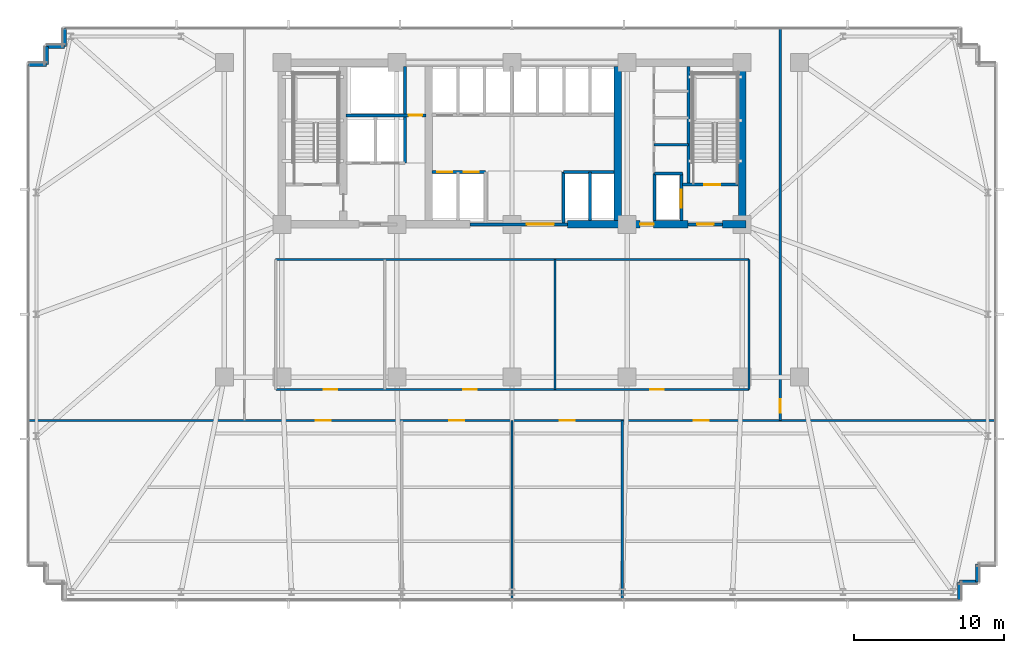
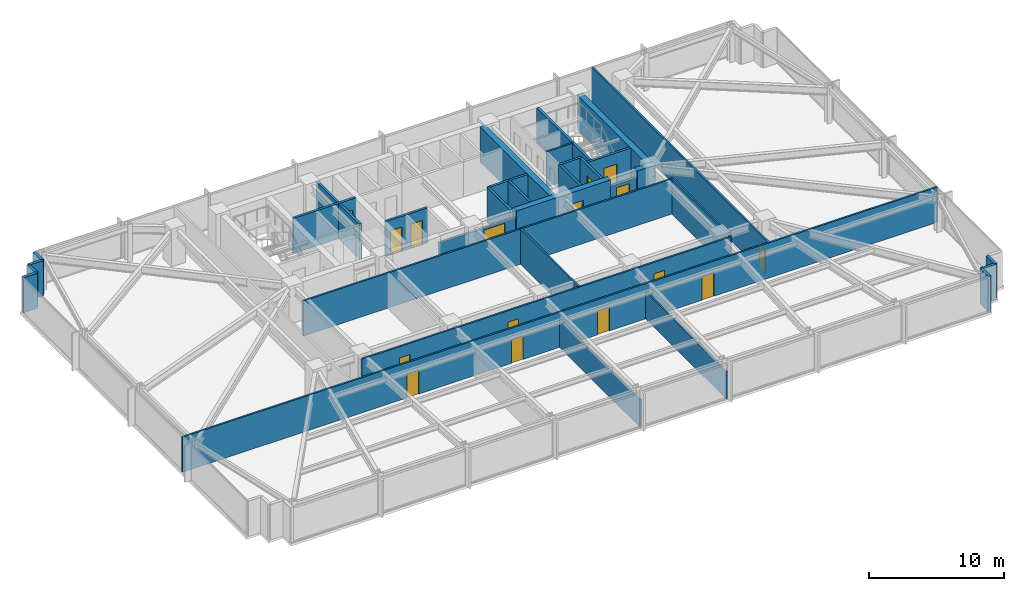
# One storey, part 25 of 33: 33 walls, 16 doors, 16 openings.
"""IFC4 building model written with IfcOpenShell, lengths in metres."""

from ifc_helpers import new_model, si_unit, direction, frame, frame_2d, origin, place, context, subcontext, project, spatial, rectangle, extrude, material, layer, layer_set, type_object, element, fill, save


model = new_model("IFC4")

# Units and contexts
model_context = context("Model", 3, precision=1e-05, world=origin(), true_north=direction((0.0, 1.0)))
body_context = subcontext(model_context, "Body", "Model", "MODEL_VIEW")
ifc_project = project(units=[si_unit("LENGTHUNIT", "METRE"), si_unit("AREAUNIT", "SQUARE_METRE"), si_unit("VOLUMEUNIT", "CUBIC_METRE"), si_unit("PLANEANGLEUNIT", "RADIAN"), si_unit("MASSUNIT", "GRAM", prefix="KILO")], contexts=[model_context])

# Site, building, storey
site_placement = place(None, origin())
site = spatial("IfcSite", under=ifc_project, at=site_placement, CompositionType="ELEMENT")
building_placement = place(site_placement, origin())
building = spatial("IfcBuilding", under=site, at=building_placement, Name="Yelkora Congress Tower", CompositionType="ELEMENT")
storey_placement = place(building_placement, frame((0.0, 0.0, 47.39990234375)))
storey = spatial("IfcBuildingStorey", under=building, at=storey_placement, Name="L11", CompositionType="ELEMENT", Elevation=47.39990234375)

# Wall
ifc_material_1 = material(Name="Concrete C50/60", Category="concrete")
ifc_layer_1 = layer(ifc_material_1, 0.219970703125)
ifc_layer_set_1 = layer_set([ifc_layer_1], Name="Concrete C50/60")
wall_type_1 = type_object("IfcWallType", Name="WALL-CORE-INT-220", PredefinedType="SHEAR", material=ifc_layer_set_1)
wall_1_placement = place(storey_placement, frame((50.179931640625, 38.050048828125, 0.0), z_axis=(0.0, 0.0, 1.0), x_axis=(0.0, 1.0, 0.0)))
element("IfcWall", 1, at=wall_1_placement, inside=storey, type_object=wall_type_1, Name="L11 ST02 West Stair Shear Wall", PredefinedType="SHEAR", context=body_context, shape_type="SweptSolid", body=[
    extrude(rectangle(XDim=7.89990234375, YDim=0.219970703125, at=frame_2d((3.949951171875, 0.0))), origin(), (0.0, 0.0, 1.0), 3.18017578125),
])

# Wall, opening, door
ifc_material_2 = material(Name="Concrete C60/75", Category="concrete")
ifc_layer_2 = layer(ifc_material_2, 0.5)
ifc_layer_set_2 = layer_set([ifc_layer_2], Name="Concrete C60/75")
wall_type_2 = type_object("IfcWallType", Name="WALL-CORE-INT-500", PredefinedType="SHEAR", material=ifc_layer_set_2)
wall_2_placement = place(storey_placement, frame((42.10009765625, 35.39990234375, 0.0), z_axis=(0.0, 0.0, 1.0), x_axis=(1.0, 0.0, 0.0)))
wall_2 = element("IfcWall", 2, at=wall_2_placement, inside=storey, type_object=wall_type_2, Name="L11 Rear Core South-East Shear Wall A", PredefinedType="SHEAR", context=body_context, shape_type="SweptSolid", body=[
    extrude(rectangle(XDim=8.0498046875, YDim=0.5, at=frame_2d((4.02490234375, 0.0))), origin(), (0.0, 0.0, 1.0), 3.18017578125),
])
opening_1_placement = place(wall_2_placement, frame((4.85009765625, 0.0, 0.0)))
opening_1 = element("IfcOpeningElement", 3, at=opening_1_placement, cuts=wall_2, Name="Opening DR-090F6", PredefinedType="OPENING", context=body_context, shape_type="SweptSolid", body=[
    extrude(rectangle(XDim=0.89990234375, YDim=2.14990234375, at=frame_2d((0.449951171875, 1.074951171875))), frame((0.0, 0.260009765625, 0.0), z_axis=(0.0, -1.0, 0.0), x_axis=(1.0, 0.0, 0.0)), (0.0, 0.0, 1.0), 0.52001953125),
])
ifc_material_3 = material(Name="Painted steel riser fire door leaf", Category="steel")
door_type_1 = type_object("IfcDoorType", Name="DOOR-FD60-900", OperationType="NOTDEFINED", PredefinedType="DOOR", material=ifc_material_3)
door_1_placement = place(opening_1_placement, origin())
door_1 = element("IfcDoor", 4, at=door_1_placement, inside=storey, type_object=door_type_1, Name="L11 Core Washroom Lobby Door", OperationType="SINGLE_SWING_RIGHT", OverallHeight=2.14990234375, OverallWidth=0.89990234375, PredefinedType="DOOR", context=body_context, shape_type="SweptSolid", body=[
    extrude(rectangle(XDim=0.89990234375, YDim=2.14990234375, at=frame_2d((0.449951171875, 1.074951171875))), frame((0.0, 0.02490234375, 0.0), z_axis=(0.0, -1.0, 0.0), x_axis=(1.0, 0.0, 0.0)), (0.0, 0.0, 1.0), 0.050048828125),
])
fill(opening_1, door_1)

# Walls
wall_3_placement = place(storey_placement, frame((52.449951171875, 35.39990234375, 0.0), z_axis=(0.0, 0.0, 1.0), x_axis=(1.0, 0.0, 0.0)))
element("IfcWall", 5, at=wall_3_placement, inside=storey, type_object=wall_type_2, Name="L11 Rear Core South-East Shear Wall B", PredefinedType="SHEAR", context=body_context, shape_type="SweptSolid", body=[
    extrude(rectangle(XDim=1.56005859375, YDim=0.5, at=frame_2d((0.780029296875, 0.0))), origin(), (0.0, 0.0, 1.0), 3.18017578125),
])
for number, where, z_axis, x_axis, name in (
    (6, (45.449951171875, 35.64990234375, 0.0), (0.0, 0.0, 1.0), (0.0, 1.0, 0.0), "L11 Rear Core Cross Shear Wall C3"),
    (7, (53.760009765625, 35.64990234375, 0.0), (0.0, 0.0, 1.0), (0.0, 1.0, 0.0), "L11 Rear Core Cross Shear Wall E"),
):
    element("IfcWall", number, at=place(storey_placement, frame(where, z_axis=z_axis, x_axis=x_axis)), inside=storey, type_object=wall_type_2, Name=name, PredefinedType="SHEAR", context=body_context, shape_type="SweptSolid", body=[
        extrude(rectangle(XDim=10.300048828125, YDim=0.5, at=frame_2d((5.14990234375, 0.0))), origin(), (0.0, 0.0, 1.0), 3.18017578125),
    ])
ifc_material_4 = material(Name="Concrete C40/50", Category="concrete")
ifc_layer_3 = layer(ifc_material_4, 0.239990234375)
ifc_layer_set_3 = layer_set([ifc_layer_3], Name="Concrete C40/50")
wall_type_3 = type_object("IfcWallType", Name="WALL-EXT-LIMESTONE-240", PredefinedType="SOLIDWALL", material=ifc_layer_set_3)
wall_4_placement = place(storey_placement, frame((6.139892578125, 46.06005859375, 0.0), z_axis=(0.0, 0.0, 1.0), x_axis=(1.0, 0.0, 0.0)))
element("IfcWall", 8, at=wall_4_placement, inside=storey, type_object=wall_type_3, Name="L11 Serrated Corner Limestone Pier 6", PredefinedType="SOLIDWALL", context=body_context, shape_type="SweptSolid", body=[
    extrude(rectangle(XDim=1.2001953125, YDim=0.239990234375, at=frame_2d((0.60009765625, 0.0))), origin(), (0.0, 0.0, 1.0), 3.18017578125),
])
for number, where, z_axis, x_axis, name in (
    (9, (7.340087890625, 46.06005859375, 0.0), (0.0, 0.0, 1.0), (0.0, 1.0, 0.0), "L11 Serrated Corner Limestone Pier 7"),
    (10, (7.340087890625, 47.260009765625, 0.0), (0.0, 0.0, 1.0), (1.0, 0.0, 0.0), "L11 Serrated Corner Limestone Pier 8"),
    (11, (8.5400390625, 47.260009765625, 0.0), (0.0, 0.0, 1.0), (0.0, 1.0, 0.0), "L11 Serrated Corner Limestone Pier 9"),
    (12, (69.4599609375, 12.739990234375, 0.0), (0.0, 0.0, 1.0), (0.0, -1.0, 0.0), "L11 Serrated Corner Limestone Pier 17"),
    (13, (69.4599609375, 11.5400390625, 0.0), (0.0, 0.0, 1.0), (-1.0, 0.0, 0.0), "L11 Serrated Corner Limestone Pier 18"),
    (14, (68.260009765625, 11.5400390625, 0.0), (0.0, 0.0, 1.0), (0.0, -1.0, 0.0), "L11 Serrated Corner Limestone Pier 19"),
):
    element("IfcWall", number, at=place(storey_placement, frame(where, z_axis=z_axis, x_axis=x_axis)), inside=storey, type_object=wall_type_3, Name=name, PredefinedType="SOLIDWALL", context=body_context, shape_type="SweptSolid", body=[
        extrude(rectangle(XDim=1.199951171875, YDim=0.239990234375, at=frame_2d((0.60009765625, 0.0))), origin(), (0.0, 0.0, 1.0), 3.18017578125),
    ])
ifc_material_5 = material(Name="Acoustic metal-stud gypsum partition", Category="gypsum")
ifc_layer_4 = layer(ifc_material_5, 0.14990234375)
ifc_layer_set_4 = layer_set([ifc_layer_4], Name="Acoustic metal-stud gypsum partition")
wall_type_4 = type_object("IfcWallType", Name="WALL-INT-150-NR", PredefinedType="PARTITIONING", material=ifc_layer_set_4)
wall_5_placement = place(storey_placement, frame((47.8798828125, 40.719970703125, 0.0), z_axis=(0.0, 0.0, 1.0), x_axis=(1.0, 0.0, 0.0)))
element("IfcWall", 15, at=wall_5_placement, inside=storey, type_object=wall_type_4, Name="L11 Partition Wall 28", PredefinedType="PARTITIONING", context=body_context, shape_type="SweptSolid", body=[
    extrude(rectangle(XDim=2.300048828125, YDim=0.14990234375, at=frame_2d((1.14990234375, 0.0))), origin(), (0.0, 0.0, 1.0), 3.18017578125),
])
for number, where, z_axis, x_axis, name in (
    (16, (38.39990234375, 10.280029296875, 0.0), (0.0, 0.0, 1.0), (0.0, 1.0, 0.0), "L11 Partition Wall 33"),
    (17, (45.762939453125, 10.280029296875, 0.0), (0.0, 0.0, 1.0), (0.0, 1.0, 0.0), "L11 Partition Wall 34"),
):
    element("IfcWall", number, at=place(storey_placement, frame(where, z_axis=z_axis, x_axis=x_axis)), inside=storey, type_object=wall_type_4, Name=name, PredefinedType="PARTITIONING", context=body_context, shape_type="SweptSolid", body=[
        extrude(rectangle(XDim=12.0400390625, YDim=0.14990234375, at=frame_2d((6.02001953125, 0.0))), origin(), (0.0, 0.0, 1.0), 2.47509765625),
    ])

# Wall, openings, doors
wall_6_placement = place(storey_placement, frame((6.080078125, 22.300048828125, 0.0), z_axis=(0.0, 0.0, 1.0), x_axis=(1.0, 0.0, 0.0)))
wall_6 = element("IfcWall", 18, at=wall_6_placement, inside=storey, type_object=wall_type_4, Name="L11 South Spine Wall", PredefinedType="PARTITIONING", context=body_context, shape_type="SweptSolid", body=[
    extrude(rectangle(XDim=64.639892578125, YDim=0.14990234375, at=frame_2d((32.31982421875, 0.0))), origin(), (0.0, 0.0, 1.0), 3.18017578125),
])
opening_2_placement = place(wall_6_placement, frame((19.214111328125, 0.0, 0.0)))
opening_2 = element("IfcOpeningElement", 19, at=opening_2_placement, cuts=wall_6, Name="Opening DR-100N", PredefinedType="OPENING", context=body_context, shape_type="SweptSolid", body=[
    extrude(rectangle(XDim=1.0, YDim=2.14990234375, at=frame_2d((0.5, 1.074951171875))), frame((0.0, 0.0849609375, 0.0), z_axis=(0.0, -1.0, 0.0), x_axis=(1.0, 0.0, 0.0)), (0.0, 0.0, 1.0), 0.169921875),
])
opening_3_placement = place(wall_6_placement, frame((28.138916015625, 0.0, 0.0)))
opening_3 = element("IfcOpeningElement", 20, at=opening_3_placement, cuts=wall_6, Name="Opening DR-100N", PredefinedType="OPENING", context=body_context, shape_type="SweptSolid", body=[
    extrude(rectangle(XDim=1.0, YDim=2.14990234375, at=frame_2d((0.5, 1.074951171875))), frame((0.0, 0.0849609375, 0.0), z_axis=(0.0, -1.0, 0.0), x_axis=(1.0, 0.0, 0.0)), (0.0, 0.0, 1.0), 0.169921875),
])
opening_4_placement = place(wall_6_placement, frame((35.50146484375, 0.0, 0.0)))
opening_4 = element("IfcOpeningElement", 21, at=opening_4_placement, cuts=wall_6, Name="Opening DR-100N", PredefinedType="OPENING", context=body_context, shape_type="SweptSolid", body=[
    extrude(rectangle(XDim=1.0, YDim=2.14990234375, at=frame_2d((0.5, 1.074951171875))), frame((0.0, 0.0849609375, 0.0), z_axis=(0.0, -1.0, 0.0), x_axis=(1.0, 0.0, 0.0)), (0.0, 0.0, 1.0), 0.169921875),
])
opening_5_placement = place(wall_6_placement, frame((44.451416015625, 0.0, 0.0)))
opening_5 = element("IfcOpeningElement", 22, at=opening_5_placement, cuts=wall_6, Name="Opening DR-100N", PredefinedType="OPENING", context=body_context, shape_type="SweptSolid", body=[
    extrude(rectangle(XDim=1.0, YDim=2.14990234375, at=frame_2d((0.5, 1.074951171875))), frame((0.0, 0.0849609375, 0.0), z_axis=(0.0, -1.0, 0.0), x_axis=(1.0, 0.0, 0.0)), (0.0, 0.0, 1.0), 0.169921875),
])
ifc_material_6 = material(Name="Solid-core Anatolian oak veneer door", Category="wood")
door_type_2 = type_object("IfcDoorType", Name="DOOR-INT-1000", OperationType="NOTDEFINED", PredefinedType="DOOR", material=ifc_material_6)
door_2_placement = place(opening_2_placement, origin())
door_2 = element("IfcDoor", 23, at=door_2_placement, inside=storey, type_object=door_type_2, Name="L11 Executive Office Door", OperationType="SINGLE_SWING_RIGHT", OverallHeight=2.14990234375, OverallWidth=1.0, PredefinedType="DOOR", context=body_context, shape_type="SweptSolid", body=[
    extrude(rectangle(XDim=1.0, YDim=2.14990234375, at=frame_2d((0.5, 1.074951171875))), frame((0.0, 0.02490234375, 0.0), z_axis=(0.0, -1.0, 0.0), x_axis=(1.0, 0.0, 0.0)), (0.0, 0.0, 1.0), 0.050048828125),
])
fill(opening_2, door_2)
door_3_placement = place(opening_3_placement, origin())
door_3 = element("IfcDoor", 24, at=door_3_placement, inside=storey, type_object=door_type_2, Name="L11 Executive Office Door", OperationType="SINGLE_SWING_LEFT", OverallHeight=2.14990234375, OverallWidth=1.0, PredefinedType="DOOR", context=body_context, shape_type="SweptSolid", body=[
    extrude(rectangle(XDim=1.0, YDim=2.14990234375, at=frame_2d((0.5, 1.074951171875))), frame((0.0, 0.02490234375, 0.0), z_axis=(0.0, -1.0, 0.0), x_axis=(1.0, 0.0, 0.0)), (0.0, 0.0, 1.0), 0.050048828125),
])
fill(opening_3, door_3)
door_4_placement = place(opening_4_placement, origin())
door_4 = element("IfcDoor", 25, at=door_4_placement, inside=storey, type_object=door_type_2, Name="L11 Executive Office Door", OperationType="SINGLE_SWING_RIGHT", OverallHeight=2.14990234375, OverallWidth=1.0, PredefinedType="DOOR", context=body_context, shape_type="SweptSolid", body=[
    extrude(rectangle(XDim=1.0, YDim=2.14990234375, at=frame_2d((0.5, 1.074951171875))), frame((0.0, 0.02490234375, 0.0), z_axis=(0.0, -1.0, 0.0), x_axis=(1.0, 0.0, 0.0)), (0.0, 0.0, 1.0), 0.050048828125),
])
fill(opening_4, door_4)
door_5_placement = place(opening_5_placement, origin())
door_5 = element("IfcDoor", 26, at=door_5_placement, inside=storey, type_object=door_type_2, Name="L11 Executive Office Door", OperationType="SINGLE_SWING_LEFT", OverallHeight=2.14990234375, OverallWidth=1.0, PredefinedType="DOOR", context=body_context, shape_type="SweptSolid", body=[
    extrude(rectangle(XDim=1.0, YDim=2.14990234375, at=frame_2d((0.5, 1.074951171875))), frame((0.0, 0.02490234375, 0.0), z_axis=(0.0, -1.0, 0.0), x_axis=(1.0, 0.0, 0.0)), (0.0, 0.0, 1.0), 0.050048828125),
])
fill(opening_5, door_5)

# Wall, opening, door
wall_7_placement = place(storey_placement, frame((56.300048828125, 22.300048828125, 0.0), z_axis=(0.0, 0.0, 1.0), x_axis=(0.0, 1.0, 0.0)))
wall_7 = element("IfcWall", 27, at=wall_7_placement, inside=storey, type_object=wall_type_4, Name="L11 Partition Wall 37", PredefinedType="PARTITIONING", context=body_context, shape_type="SweptSolid", body=[
    extrude(rectangle(XDim=26.219970703125, YDim=0.14990234375, at=frame_2d((13.10986328125, 0.0))), origin(), (0.0, 0.0, 1.0), 3.18017578125),
])
opening_6_placement = place(wall_7_placement, frame((0.528076171875, 0.0, 0.0)))
opening_6 = element("IfcOpeningElement", 28, at=opening_6_placement, cuts=wall_7, Name="Opening DR-090N", PredefinedType="OPENING", context=body_context, shape_type="SweptSolid", body=[
    extrude(rectangle(XDim=0.89990234375, YDim=2.14990234375, at=frame_2d((0.449951171875, 1.074951171875))), frame((0.0, 0.0849609375, 0.0), z_axis=(0.0, -1.0, 0.0), x_axis=(1.0, 0.0, 0.0)), (0.0, 0.0, 1.0), 0.169921875),
])
ifc_material_7 = material(Name="Moisture-resistant laminate door leaf", Category="wood")
door_type_3 = type_object("IfcDoorType", Name="DOOR-INT-900", OperationType="NOTDEFINED", PredefinedType="DOOR", material=ifc_material_7)
door_6_placement = place(opening_6_placement, origin())
door_6 = element("IfcDoor", 29, at=door_6_placement, inside=storey, type_object=door_type_3, Name="L11 E Wing Door", OperationType="SINGLE_SWING_LEFT", OverallHeight=2.14990234375, OverallWidth=0.89990234375, PredefinedType="DOOR", context=body_context, shape_type="SweptSolid", body=[
    extrude(rectangle(XDim=0.89990234375, YDim=2.14990234375, at=frame_2d((0.449951171875, 1.074951171875))), frame((0.0, 0.02490234375, 0.0), z_axis=(0.0, -1.0, 0.0), x_axis=(1.0, 0.0, 0.0)), (0.0, 0.0, 1.0), 0.050048828125),
])
fill(opening_6, door_6)

# Walls
wall_8_placement = place(storey_placement, frame((54.219970703125, 24.3798828125, 0.0), z_axis=(0.0, 0.0, 1.0), x_axis=(0.0, 1.0, 0.0)))
element("IfcWall", 30, at=wall_8_placement, inside=storey, type_object=wall_type_4, Name="L11 Partition Wall 39", PredefinedType="PARTITIONING", context=body_context, shape_type="SweptSolid", body=[
    extrude(rectangle(XDim=8.670166015625, YDim=0.14990234375, at=frame_2d((4.3349609375, 0.0))), origin(), (0.0, 0.0, 1.0), 3.18017578125),
])
wall_9_placement = place(storey_placement, frame((22.6298828125, 33.050048828125, 0.0), z_axis=(0.0, 0.0, 1.0), x_axis=(1.0, 0.0, 0.0)))
element("IfcWall", 31, at=wall_9_placement, inside=storey, type_object=wall_type_4, Name="L11 Partition Wall 40", PredefinedType="PARTITIONING", context=body_context, shape_type="SweptSolid", body=[
    extrude(rectangle(XDim=31.590087890625, YDim=0.14990234375, at=frame_2d((15.794921875, 0.0))), origin(), (0.0, 0.0, 1.0), 3.18017578125),
])
wall_10_placement = place(storey_placement, frame((41.26611328125, 24.3798828125, 0.0), z_axis=(0.0, 0.0, 1.0), x_axis=(0.0, 1.0, 0.0)))
element("IfcWall", 32, at=wall_10_placement, inside=storey, type_object=wall_type_4, Name="L11 Partition Wall 42", PredefinedType="PARTITIONING", context=body_context, shape_type="SweptSolid", body=[
    extrude(rectangle(XDim=8.670166015625, YDim=0.14990234375, at=frame_2d((4.3349609375, 0.0))), origin(), (0.0, 0.0, 1.0), 3.18017578125),
])

# Wall, openings, doors
wall_11_placement = place(storey_placement, frame((22.639892578125, 24.3798828125, 0.0), z_axis=(0.0, 0.0, 1.0), x_axis=(1.0, 0.0, 0.0)))
wall_11 = element("IfcWall", 33, at=wall_11_placement, inside=storey, type_object=wall_type_4, Name="L11 Partition Wall 43", PredefinedType="PARTITIONING", context=body_context, shape_type="SweptSolid", body=[
    extrude(rectangle(XDim=31.570068359375, YDim=0.14990234375, at=frame_2d((15.78515625, 0.0))), origin(), (0.0, 0.0, 1.0), 3.18017578125),
])
opening_7_placement = place(wall_11_placement, frame((3.180419921875, 0.0, 0.0)))
opening_7 = element("IfcOpeningElement", 34, at=opening_7_placement, cuts=wall_11, Name="Opening DR-090N", PredefinedType="OPENING", context=body_context, shape_type="SweptSolid", body=[
    extrude(rectangle(XDim=0.89990234375, YDim=2.14990234375, at=frame_2d((0.449951171875, 1.074951171875))), frame((0.0, 0.0849609375, 0.0), z_axis=(0.0, -1.0, 0.0), x_axis=(1.0, 0.0, 0.0)), (0.0, 0.0, 1.0), 0.169921875),
])
opening_8_placement = place(wall_11_placement, frame((12.493408203125, 0.0, 0.0)))
opening_8 = element("IfcOpeningElement", 35, at=opening_8_placement, cuts=wall_11, Name="Opening DR-090N", PredefinedType="OPENING", context=body_context, shape_type="SweptSolid", body=[
    extrude(rectangle(XDim=0.89990234375, YDim=2.14990234375, at=frame_2d((0.449951171875, 1.074951171875))), frame((0.0, 0.0849609375, 0.0), z_axis=(0.0, -1.0, 0.0), x_axis=(1.0, 0.0, 0.0)), (0.0, 0.0, 1.0), 0.169921875),
])
opening_9_placement = place(wall_11_placement, frame((24.983642578125, 0.0, 0.0)))
opening_9 = element("IfcOpeningElement", 36, at=opening_9_placement, cuts=wall_11, Name="Opening DR-090N", PredefinedType="OPENING", context=body_context, shape_type="SweptSolid", body=[
    extrude(rectangle(XDim=0.89990234375, YDim=2.14990234375, at=frame_2d((0.449951171875, 1.074951171875))), frame((0.0, 0.0849609375, 0.0), z_axis=(0.0, -1.0, 0.0), x_axis=(1.0, 0.0, 0.0)), (0.0, 0.0, 1.0), 0.169921875),
])
door_7_placement = place(opening_7_placement, origin())
door_7 = element("IfcDoor", 37, at=door_7_placement, inside=storey, type_object=door_type_3, Name="L11 Wellness Consult Room Door", OperationType="SINGLE_SWING_RIGHT", OverallHeight=2.14990234375, OverallWidth=0.89990234375, PredefinedType="DOOR", context=body_context, shape_type="SweptSolid", body=[
    extrude(rectangle(XDim=0.89990234375, YDim=2.14990234375, at=frame_2d((0.449951171875, 1.074951171875))), frame((0.0, 0.02490234375, 0.0), z_axis=(0.0, -1.0, 0.0), x_axis=(1.0, 0.0, 0.0)), (0.0, 0.0, 1.0), 0.050048828125),
])
fill(opening_7, door_7)
door_8_placement = place(opening_8_placement, origin())
door_8 = element("IfcDoor", 38, at=door_8_placement, inside=storey, type_object=door_type_3, Name="L11 Diplomatic Day Lounge Door", OperationType="SINGLE_SWING_LEFT", OverallHeight=2.14990234375, OverallWidth=0.89990234375, PredefinedType="DOOR", context=body_context, shape_type="SweptSolid", body=[
    extrude(rectangle(XDim=0.89990234375, YDim=2.14990234375, at=frame_2d((0.449951171875, 1.074951171875))), frame((0.0, 0.02490234375, 0.0), z_axis=(0.0, -1.0, 0.0), x_axis=(1.0, 0.0, 0.0)), (0.0, 0.0, 1.0), 0.050048828125),
])
fill(opening_8, door_8)
door_9_placement = place(opening_9_placement, origin())
door_9 = element("IfcDoor", 39, at=door_9_placement, inside=storey, type_object=door_type_3, Name="L11 First-Aid Treatment Room Door", OperationType="SINGLE_SWING_RIGHT", OverallHeight=2.14990234375, OverallWidth=0.89990234375, PredefinedType="DOOR", context=body_context, shape_type="SweptSolid", body=[
    extrude(rectangle(XDim=0.89990234375, YDim=2.14990234375, at=frame_2d((0.449951171875, 1.074951171875))), frame((0.0, 0.02490234375, 0.0), z_axis=(0.0, -1.0, 0.0), x_axis=(1.0, 0.0, 0.0)), (0.0, 0.0, 1.0), 0.050048828125),
])
fill(opening_9, door_9)

# Wall
ifc_material_8 = material(Name="Autoclaved aerated concrete blockwork", Category="masonry")
ifc_layer_5 = layer(ifc_material_8, 0.199951171875)
ifc_layer_set_5 = layer_set([ifc_layer_5], Name="Autoclaved aerated concrete blockwork")
wall_type_5 = type_object("IfcWallType", Name="WALL-INT-200-R120", PredefinedType="PARTITIONING", material=ifc_layer_set_5)
wall_12_placement = place(storey_placement, frame((31.260009765625, 39.47998046875, 0.0), z_axis=(0.0, 0.0, 1.0), x_axis=(0.0, 1.0, 0.0)))
element("IfcWall", 40, at=wall_12_placement, inside=storey, type_object=wall_type_5, Name="L11 Partition Wall 5", PredefinedType="PARTITIONING", context=body_context, shape_type="SweptSolid", body=[
    extrude(rectangle(XDim=6.43994140625, YDim=0.199951171875, at=frame_2d((3.219970703125, 0.0))), origin(), (0.0, 0.0, 1.0), 3.18017578125),
])

# Wall, opening, door
wall_13_placement = place(storey_placement, frame((27.320068359375, 42.679931640625, 0.0), z_axis=(0.0, 0.0, 1.0), x_axis=(1.0, 0.0, 0.0)))
wall_13 = element("IfcWall", 41, at=wall_13_placement, inside=storey, type_object=wall_type_5, Name="L11 Smoke Riser South Wall", PredefinedType="PARTITIONING", context=body_context, shape_type="SweptSolid", body=[
    extrude(rectangle(XDim=5.329833984375, YDim=0.199951171875, at=frame_2d((2.6650390625, 0.0))), origin(), (0.0, 0.0, 1.0), 3.18017578125),
])
opening_10_placement = place(wall_13_placement, frame((4.179931640625, 0.0, 0.0)))
opening_10 = element("IfcOpeningElement", 42, at=opening_10_placement, cuts=wall_13, Name="Opening DR-090F6", PredefinedType="OPENING", context=body_context, shape_type="SweptSolid", body=[
    extrude(rectangle(XDim=0.89990234375, YDim=2.14990234375, at=frame_2d((0.449951171875, 1.074951171875))), frame((0.0, 0.10986328125, 0.0), z_axis=(0.0, -1.0, 0.0), x_axis=(1.0, 0.0, 0.0)), (0.0, 0.0, 1.0), 0.219970703125),
])
door_10_placement = place(opening_10_placement, origin())
door_10 = element("IfcDoor", 43, at=door_10_placement, inside=storey, type_object=door_type_1, Name="L11 Riser Access Door", OperationType="SINGLE_SWING_LEFT", OverallHeight=2.14990234375, OverallWidth=0.89990234375, PredefinedType="DOOR", context=body_context, shape_type="SweptSolid", body=[
    extrude(rectangle(XDim=0.89990234375, YDim=2.14990234375, at=frame_2d((0.449951171875, 1.074951171875))), frame((0.0, 0.02490234375, 0.0), z_axis=(0.0, -1.0, 0.0), x_axis=(1.0, 0.0, 0.0)), (0.0, 0.0, 1.0), 0.050048828125),
])
fill(opening_10, door_10)

wall_14_placement = place(storey_placement, frame((35.60009765625, 35.39990234375, 0.0), z_axis=(0.0, 0.0, 1.0), x_axis=(1.0, 0.0, 0.0)))
wall_14 = element("IfcWall", 44, at=wall_14_placement, inside=storey, type_object=wall_type_5, Name="L11 Main Lift Lobby South Portal Wall", PredefinedType="PARTITIONING", context=body_context, shape_type="SweptSolid", body=[
    extrude(rectangle(XDim=6.5, YDim=0.199951171875, at=frame_2d((3.25, 0.0))), origin(), (0.0, 0.0, 1.0), 2.47509765625),
])
opening_11_placement = place(wall_14_placement, frame((3.800048828125, 0.0, 0.0)))
opening_11 = element("IfcOpeningElement", 45, at=opening_11_placement, cuts=wall_14, Name="Opening DR-180D", PredefinedType="OPENING", context=body_context, shape_type="SweptSolid", body=[
    extrude(rectangle(XDim=1.800048828125, YDim=2.300048828125, at=frame_2d((0.89990234375, 1.14990234375))), frame((0.0, 0.10986328125, 0.0), z_axis=(0.0, -1.0, 0.0), x_axis=(1.0, 0.0, 0.0)), (0.0, 0.0, 1.0), 0.219970703125),
])
ifc_material_9 = material(Name="Acoustic double congress hall doors", Category="wood")
door_type_4 = type_object("IfcDoorType", Name="DOOR-DBL-1800", OperationType="DOUBLE_DOOR_SINGLE_SWING", PredefinedType="DOOR", material=ifc_material_9)
door_11_placement = place(opening_11_placement, origin())
door_11 = element("IfcDoor", 46, at=door_11_placement, inside=storey, type_object=door_type_4, Name="L11 Main Lift Lobby Portal Door", OperationType="DOUBLE_DOOR_SINGLE_SWING", OverallHeight=2.300048828125, OverallWidth=1.800048828125, PredefinedType="DOOR", context=body_context, shape_type="SweptSolid", body=[
    extrude(rectangle(XDim=1.800048828125, YDim=2.300048828125, at=frame_2d((0.89990234375, 1.14990234375))), frame((0.0, 0.02490234375, 0.0), z_axis=(0.0, -1.0, 0.0), x_axis=(1.0, 0.0, 0.0)), (0.0, 0.0, 1.0), 0.050048828125),
])
fill(opening_11, door_11)

# Wall, openings, doors
wall_15_placement = place(storey_placement, frame((33.050048828125, 38.89990234375, 0.0), z_axis=(0.0, 0.0, 1.0), x_axis=(1.0, 0.0, 0.0)))
wall_15 = element("IfcWall", 47, at=wall_15_placement, inside=storey, type_object=wall_type_5, Name="L11 Partition Wall 11", PredefinedType="PARTITIONING", context=body_context, shape_type="SweptSolid", body=[
    extrude(rectangle(XDim=3.570068359375, YDim=0.199951171875, at=frame_2d((1.78515625, 0.0))), origin(), (0.0, 0.0, 1.0), 3.18017578125),
])
opening_12_placement = place(wall_15_placement, frame((0.375, 0.0, 0.0)))
opening_12 = element("IfcOpeningElement", 48, at=opening_12_placement, cuts=wall_15, Name="Opening LD-PS10", PredefinedType="OPENING", context=body_context, shape_type="SweptSolid", body=[
    extrude(rectangle(XDim=1.0, YDim=2.199951171875, at=frame_2d((0.5, 1.10009765625))), frame((0.0, 0.10986328125, 0.0), z_axis=(0.0, -1.0, 0.0), x_axis=(1.0, 0.0, 0.0)), (0.0, 0.0, 1.0), 0.219970703125),
])
opening_13_placement = place(wall_15_placement, frame((2.125, 0.0, 0.0)))
opening_13 = element("IfcOpeningElement", 49, at=opening_13_placement, cuts=wall_15, Name="Opening LD-PS10", PredefinedType="OPENING", context=body_context, shape_type="SweptSolid", body=[
    extrude(rectangle(XDim=1.0, YDim=2.199951171875, at=frame_2d((0.5, 1.10009765625))), frame((0.0, 0.10986328125, 0.0), z_axis=(0.0, -1.0, 0.0), x_axis=(1.0, 0.0, 0.0)), (0.0, 0.0, 1.0), 0.219970703125),
])
ifc_material_10 = material(Name="Champagne stainless steel landing door", Category="steel")
door_type_5 = type_object("IfcDoorType", Name="DOOR-LIFT-PAS-1000", OperationType="DOUBLE_DOOR_SLIDING", PredefinedType="DOOR", material=ifc_material_10)
door_12_placement = place(opening_12_placement, origin())
door_12 = element("IfcDoor", 50, at=door_12_placement, inside=storey, type_object=door_type_5, Name="Lift Landing Door LF-P1 L11", OperationType="DOUBLE_DOOR_SLIDING", OverallHeight=2.199951171875, OverallWidth=1.0, PredefinedType="DOOR", context=body_context, shape_type="SweptSolid", body=[
    extrude(rectangle(XDim=1.0, YDim=2.199951171875, at=frame_2d((0.5, 1.10009765625))), frame((0.0, 0.02490234375, 0.0), z_axis=(0.0, -1.0, 0.0), x_axis=(1.0, 0.0, 0.0)), (0.0, 0.0, 1.0), 0.050048828125),
])
fill(opening_12, door_12)
door_13_placement = place(opening_13_placement, origin())
door_13 = element("IfcDoor", 51, at=door_13_placement, inside=storey, type_object=door_type_5, Name="Lift Landing Door LF-P2 L11", OperationType="DOUBLE_DOOR_SLIDING", OverallHeight=2.199951171875, OverallWidth=1.0, PredefinedType="DOOR", context=body_context, shape_type="SweptSolid", body=[
    extrude(rectangle(XDim=1.0, YDim=2.199951171875, at=frame_2d((0.5, 1.10009765625))), frame((0.0, 0.02490234375, 0.0), z_axis=(0.0, -1.0, 0.0), x_axis=(1.0, 0.0, 0.0)), (0.0, 0.0, 1.0), 0.050048828125),
])
fill(opening_13, door_13)

# Walls
wall_16_placement = place(storey_placement, frame((41.85009765625, 38.89990234375, 0.0), z_axis=(0.0, 0.0, 1.0), x_axis=(1.0, 0.0, 0.0)))
element("IfcWall", 52, at=wall_16_placement, inside=storey, type_object=wall_type_5, Name="L11 Partition Wall 17", PredefinedType="PARTITIONING", context=body_context, shape_type="SweptSolid", body=[
    extrude(rectangle(XDim=3.369873046875, YDim=0.199951171875, at=frame_2d((1.68505859375, 0.0))), origin(), (0.0, 0.0, 1.0), 3.18017578125),
])
wall_17_placement = place(storey_placement, frame((43.60009765625, 35.64990234375, 0.0), z_axis=(0.0, 0.0, 1.0), x_axis=(0.0, 1.0, 0.0)))
element("IfcWall", 53, at=wall_17_placement, inside=storey, type_object=wall_type_5, Name="L11 Partition Wall 19", PredefinedType="PARTITIONING", context=body_context, shape_type="SweptSolid", body=[
    extrude(rectangle(XDim=3.25, YDim=0.199951171875, at=frame_2d((1.625, 0.0))), origin(), (0.0, 0.0, 1.0), 3.18017578125),
])
wall_18_placement = place(storey_placement, frame((41.85009765625, 35.5, 0.0), z_axis=(0.0, 0.0, 1.0), x_axis=(0.0, 1.0, 0.0)))
element("IfcWall", 54, at=wall_18_placement, inside=storey, type_object=wall_type_5, Name="L11 Partition Wall 21", PredefinedType="PARTITIONING", context=body_context, shape_type="SweptSolid", body=[
    extrude(rectangle(XDim=3.39990234375, YDim=0.199951171875, at=frame_2d((1.699951171875, 0.0))), origin(), (0.0, 0.0, 1.0), 3.18017578125),
])

# Wall, opening, door
wall_19_placement = place(storey_placement, frame((49.780029296875, 38.050048828125, 0.0), z_axis=(0.0, 0.0, 1.0), x_axis=(1.0, 0.0, 0.0)))
wall_19 = element("IfcWall", 55, at=wall_19_placement, inside=storey, type_object=wall_type_5, Name="L11 Stair ST-02 Enclosure Wall", PredefinedType="PARTITIONING", context=body_context, shape_type="SweptSolid", body=[
    extrude(rectangle(XDim=3.719970703125, YDim=0.199951171875, at=frame_2d((1.85986328125, 0.0))), origin(), (0.0, 0.0, 1.0), 3.18017578125),
])
opening_14_placement = place(wall_19_placement, frame((1.436279296875, 0.0, 0.0)))
opening_14 = element("IfcOpeningElement", 56, at=opening_14_placement, cuts=wall_19, Name="Opening DR-110F9", PredefinedType="OPENING", context=body_context, shape_type="SweptSolid", body=[
    extrude(rectangle(XDim=1.10009765625, YDim=2.14990234375, at=frame_2d((0.550048828125, 1.074951171875))), frame((0.0, 0.10986328125, 0.0), z_axis=(0.0, -1.0, 0.0), x_axis=(1.0, 0.0, 0.0)), (0.0, 0.0, 1.0), 0.219970703125),
])
ifc_material_11 = material(Name="Galvanised steel fire door leaf", Category="steel")
door_type_6 = type_object("IfcDoorType", Name="DOOR-FD90-1100", OperationType="NOTDEFINED", PredefinedType="DOOR", material=ifc_material_11)
door_14_placement = place(opening_14_placement, origin())
door_14 = element("IfcDoor", 57, at=door_14_placement, inside=storey, type_object=door_type_6, Name="L11 Stair ST-02 Entry Door", OperationType="SINGLE_SWING_LEFT", OverallHeight=2.14990234375, OverallWidth=1.10009765625, PredefinedType="DOOR", context=body_context, shape_type="SweptSolid", body=[
    extrude(rectangle(XDim=1.10009765625, YDim=2.14990234375, at=frame_2d((0.550048828125, 1.074951171875))), frame((0.0, 0.02490234375, 0.0), z_axis=(0.0, -1.0, 0.0), x_axis=(1.0, 0.0, 0.0)), (0.0, 0.0, 1.0), 0.050048828125),
])
fill(opening_14, door_14)

wall_20_placement = place(storey_placement, frame((50.14990234375, 35.39990234375, 0.0), z_axis=(0.0, 0.0, 1.0), x_axis=(1.0, 0.0, 0.0)))
wall_20 = element("IfcWall", 58, at=wall_20_placement, inside=storey, type_object=wall_type_5, Name="L11 Partition Wall 24", PredefinedType="PARTITIONING", context=body_context, shape_type="SweptSolid", body=[
    extrude(rectangle(XDim=2.300048828125, YDim=0.199951171875, at=frame_2d((1.14990234375, 0.0))), origin(), (0.0, 0.0, 1.0), 2.47509765625),
])
opening_15_placement = place(wall_20_placement, frame((0.60009765625, 0.0, 0.0)))
opening_15 = element("IfcOpeningElement", 59, at=opening_15_placement, cuts=wall_20, Name="Opening DR-110F9", PredefinedType="OPENING", context=body_context, shape_type="SweptSolid", body=[
    extrude(rectangle(XDim=1.10009765625, YDim=2.14990234375, at=frame_2d((0.550048828125, 1.074951171875))), frame((0.0, 0.10986328125, 0.0), z_axis=(0.0, -1.0, 0.0), x_axis=(1.0, 0.0, 0.0)), (0.0, 0.0, 1.0), 0.219970703125),
])
door_15_placement = place(opening_15_placement, origin())
door_15 = element("IfcDoor", 60, at=door_15_placement, inside=storey, type_object=door_type_6, Name="L11 East Stair Lobby Door", OperationType="SINGLE_SWING_RIGHT", OverallHeight=2.14990234375, OverallWidth=1.10009765625, PredefinedType="DOOR", context=body_context, shape_type="SweptSolid", body=[
    extrude(rectangle(XDim=1.10009765625, YDim=2.14990234375, at=frame_2d((0.550048828125, 1.074951171875))), frame((0.0, 0.02490234375, 0.0), z_axis=(0.0, -1.0, 0.0), x_axis=(1.0, 0.0, 0.0)), (0.0, 0.0, 1.0), 0.050048828125),
])
fill(opening_15, door_15)

wall_21_placement = place(storey_placement, frame((49.699951171875, 35.64990234375, 0.0), z_axis=(0.0, 0.0, 1.0), x_axis=(0.0, 1.0, 0.0)))
wall_21 = element("IfcWall", 61, at=wall_21_placement, inside=storey, type_object=wall_type_5, Name="L11 Partition Wall 25", PredefinedType="PARTITIONING", context=body_context, shape_type="SweptSolid", body=[
    extrude(rectangle(XDim=3.150146484375, YDim=0.199951171875, at=frame_2d((1.5751953125, 0.0))), origin(), (0.0, 0.0, 1.0), 3.18017578125),
])
opening_16_placement = place(wall_21_placement, frame((0.85009765625, 0.0, 0.0)))
opening_16 = element("IfcOpeningElement", 62, at=opening_16_placement, cuts=wall_21, Name="Opening LD-SV12", PredefinedType="OPENING", context=body_context, shape_type="SweptSolid", body=[
    extrude(rectangle(XDim=1.199951171875, YDim=2.199951171875, at=frame_2d((0.60009765625, 1.10009765625))), frame((0.0, 0.10986328125, 0.0), z_axis=(0.0, -1.0, 0.0), x_axis=(1.0, 0.0, 0.0)), (0.0, 0.0, 1.0), 0.219970703125),
])
ifc_material_12 = material(Name="Heavy-duty stainless steel landing door", Category="steel")
door_type_7 = type_object("IfcDoorType", Name="DOOR-LIFT-SRV-1200", OperationType="DOUBLE_DOOR_SLIDING", PredefinedType="DOOR", material=ifc_material_12)
door_16_placement = place(opening_16_placement, origin())
door_16 = element("IfcDoor", 63, at=door_16_placement, inside=storey, type_object=door_type_7, Name="Service Lift Landing Door LF-SV1 L11", OperationType="DOUBLE_DOOR_SLIDING", OverallHeight=2.199951171875, OverallWidth=1.199951171875, PredefinedType="DOOR", context=body_context, shape_type="SweptSolid", body=[
    extrude(rectangle(XDim=1.199951171875, YDim=2.199951171875, at=frame_2d((0.60009765625, 1.10009765625))), frame((0.0, 0.02490234375, 0.0), z_axis=(0.0, -1.0, 0.0), x_axis=(1.0, 0.0, 0.0)), (0.0, 0.0, 1.0), 0.050048828125),
])
fill(opening_16, door_16)

# Walls
wall_22_placement = place(storey_placement, frame((47.919921875, 35.64990234375, 0.0), z_axis=(0.0, 0.0, 1.0), x_axis=(0.0, 1.0, 0.0)))
element("IfcWall", 64, at=wall_22_placement, inside=storey, type_object=wall_type_5, Name="L11 Partition Wall 26", PredefinedType="PARTITIONING", context=body_context, shape_type="SweptSolid", body=[
    extrude(rectangle(XDim=3.150146484375, YDim=0.199951171875, at=frame_2d((1.5751953125, 0.0))), origin(), (0.0, 0.0, 1.0), 3.18017578125),
])
wall_23_placement = place(storey_placement, frame((47.919921875, 38.800048828125, 0.0), z_axis=(0.0, 0.0, 1.0), x_axis=(1.0, 0.0, 0.0)))
element("IfcWall", 65, at=wall_23_placement, inside=storey, type_object=wall_type_5, Name="L11 Partition Wall 27", PredefinedType="PARTITIONING", context=body_context, shape_type="SweptSolid", body=[
    extrude(rectangle(XDim=1.860107421875, YDim=0.199951171875, at=frame_2d((0.93017578125, 0.0))), origin(), (0.0, 0.0, 1.0), 3.18017578125),
])

save(model, "model.ifc")
